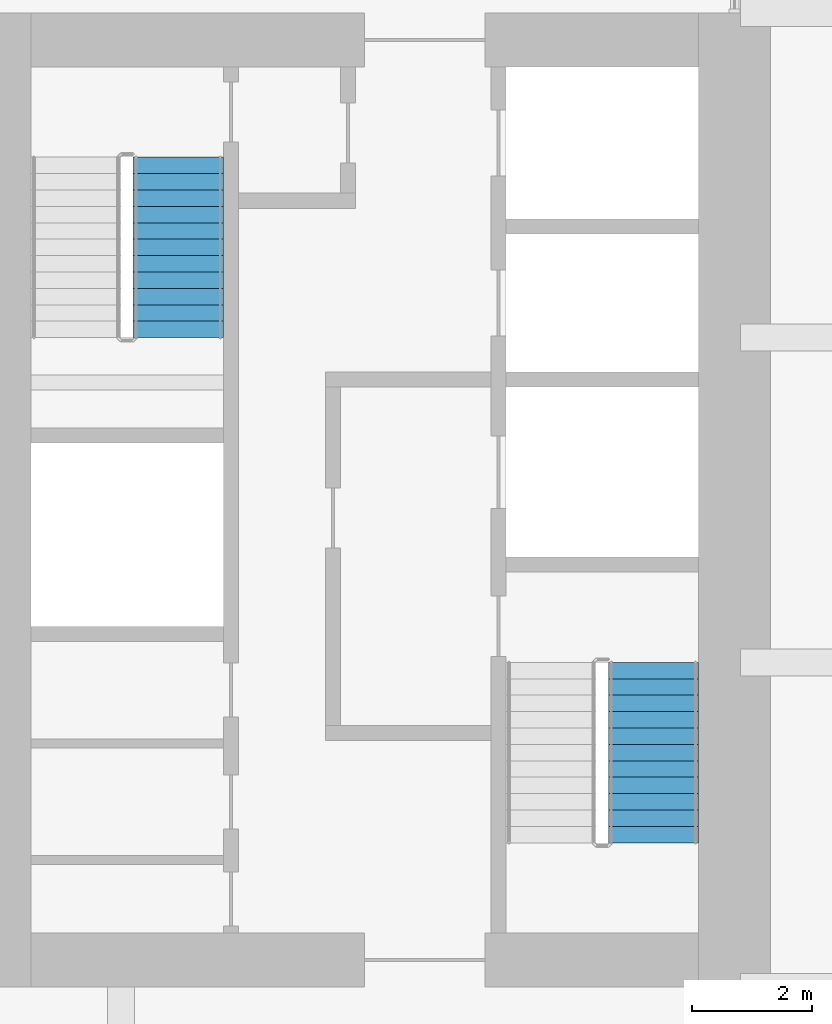
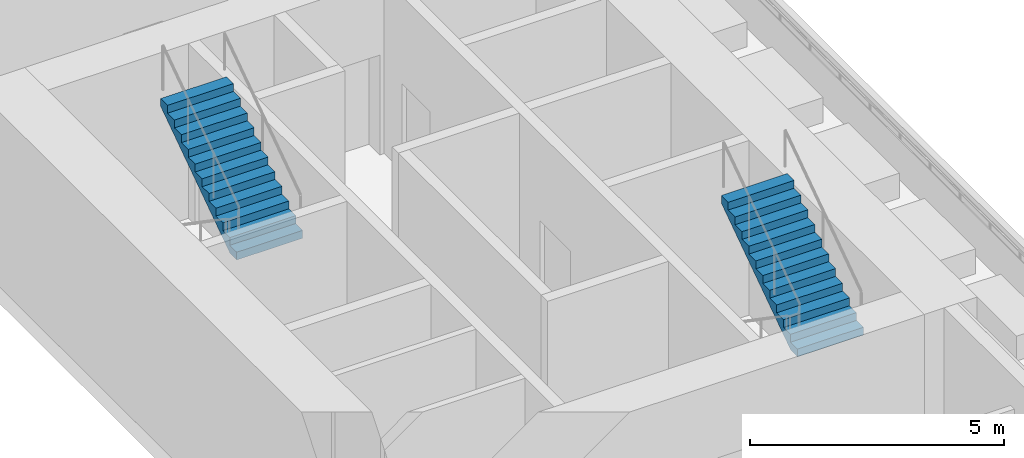
# One storey, part 15 of 23: 2 stair flights, 2 elements without a shape of their own.
"""IFC4 building model written with IfcOpenShell, lengths in metres."""

from ifc_helpers import new_model, si_unit, direction, frame, origin, place, context, subcontext, project, spatial, polyline, outline, extrude, material, type_object, element, aggregate, save


model = new_model("IFC4")

# Units and contexts
model_context = context("Model", 3, precision=1e-05, world=origin(), true_north=direction((0.0, 1.0)))
body_context = subcontext(model_context, "Body", "Model", "MODEL_VIEW")
ifc_project = project(units=[si_unit("LENGTHUNIT", "METRE"), si_unit("AREAUNIT", "SQUARE_METRE"), si_unit("VOLUMEUNIT", "CUBIC_METRE"), si_unit("PLANEANGLEUNIT", "RADIAN"), si_unit("MASSUNIT", "GRAM", prefix="KILO")], contexts=[model_context])

# Site, building, storey
site_placement = place(None, origin())
site = spatial("IfcSite", under=ifc_project, at=site_placement, CompositionType="ELEMENT")
building_placement = place(site_placement, origin())
building = spatial("IfcBuilding", under=site, at=building_placement, Name="Tabaq Tower and Sports Hall", CompositionType="ELEMENT")
storey_placement = place(building_placement, frame((0.0, 0.0, 29.10009765625)))
storey = spatial("IfcBuildingStorey", under=building, at=storey_placement, Name="L05", CompositionType="ELEMENT", Elevation=29.10009765625)

# Stair, stair flight
ifc_material_1 = material(Name="Concrete C40/50", Category="concrete")
stair_type = type_object("IfcStairType", Name="Exit stair", PredefinedType="HALF_TURN_STAIR", material=ifc_material_1)
stair_1_placement = place(storey_placement, origin())
stair_1 = element("IfcStair", 1, at=stair_1_placement, inside=storey, type_object=stair_type, Name="L05 Exit stair ST3", PredefinedType="HALF_TURN_STAIR")
ifc_material_2 = material(Name="Concrete C40/50", Category="concrete")
stair_flight_type = type_object("IfcStairFlightType", Name="Exit stair flight", PredefinedType="STRAIGHT", material=ifc_material_2)
stair_flight_1_placement = place(storey_placement, frame((41.25, 18.60009765625, 2.25), z_axis=(0.0, 0.0, 1.0), x_axis=(0.0, 1.0, 0.0)))
stair_flight_1 = element("IfcStairFlight", 2, at=stair_flight_1_placement, type_object=stair_flight_type, Name="ST3 flight 2", NumberOfRisers=12, NumberOfTreads=11, PredefinedType="STRAIGHT", RiserHeight=0.1875, TreadLength=0.272727273, context=body_context, shape_type="SweptSolid", body=[
    extrude(outline(polyline([(0.0, 0.0), (0.0, 0.1875), (0.272705078125, 0.1875), (0.272705078125, 0.375), (0.54541015625, 0.375), (0.54541015625, 0.5625), (0.818115234375, 0.5625), (0.818115234375, 0.75), (1.0908203125, 0.75), (1.0908203125, 0.9375), (1.363525390625, 0.9375), (1.363525390625, 1.125), (1.636474609375, 1.125), (1.636474609375, 1.3125), (1.9091796875, 1.3125), (1.9091796875, 1.5), (2.181884765625, 1.5), (2.181884765625, 1.6875), (2.45458984375, 1.6875), (2.45458984375, 1.875), (2.727294921875, 1.875), (2.727294921875, 2.0625), (3.0, 2.0625), (3.0, 2.25), (3.0, 1.880615234375), (0.2646484375, 0.0), (0.0, 0.0)])), frame((0.0, 0.75, 0.0), z_axis=(0.0, -1.0, 0.0), x_axis=(1.0, 0.0, 0.0)), (0.0, 0.0, 1.0), 1.5),
])
aggregate(stair_1, [stair_flight_1])

stair_2_placement = place(storey_placement, origin())
stair_2 = element("IfcStair", 3, at=stair_2_placement, inside=storey, type_object=stair_type, Name="L05 Exit stair ST4", PredefinedType="HALF_TURN_STAIR")
stair_flight_2_placement = place(storey_placement, frame((33.35009765625, 27.0, 2.25), z_axis=(0.0, 0.0, 1.0), x_axis=(0.0, 1.0, 0.0)))
stair_flight_2 = element("IfcStairFlight", 4, at=stair_flight_2_placement, type_object=stair_flight_type, Name="ST4 flight 2", NumberOfRisers=12, NumberOfTreads=11, PredefinedType="STRAIGHT", RiserHeight=0.1875, TreadLength=0.272727273, context=body_context, shape_type="SweptSolid", body=[
    extrude(outline(polyline([(0.0, 0.0), (0.0, 0.1875), (0.272705078125, 0.1875), (0.272705078125, 0.375), (0.54541015625, 0.375), (0.54541015625, 0.5625), (0.818115234375, 0.5625), (0.818115234375, 0.75), (1.0908203125, 0.75), (1.0908203125, 0.9375), (1.363525390625, 0.9375), (1.363525390625, 1.125), (1.636474609375, 1.125), (1.636474609375, 1.3125), (1.9091796875, 1.3125), (1.9091796875, 1.5), (2.181884765625, 1.5), (2.181884765625, 1.6875), (2.45458984375, 1.6875), (2.45458984375, 1.875), (2.727294921875, 1.875), (2.727294921875, 2.0625), (3.0, 2.0625), (3.0, 2.25), (3.0, 1.880615234375), (0.2646484375, 0.0), (0.0, 0.0)])), frame((0.0, 0.75, 0.0), z_axis=(0.0, -1.0, 0.0), x_axis=(1.0, 0.0, 0.0)), (0.0, 0.0, 1.0), 1.5),
])
aggregate(stair_2, [stair_flight_2])

save(model, "model.ifc")
